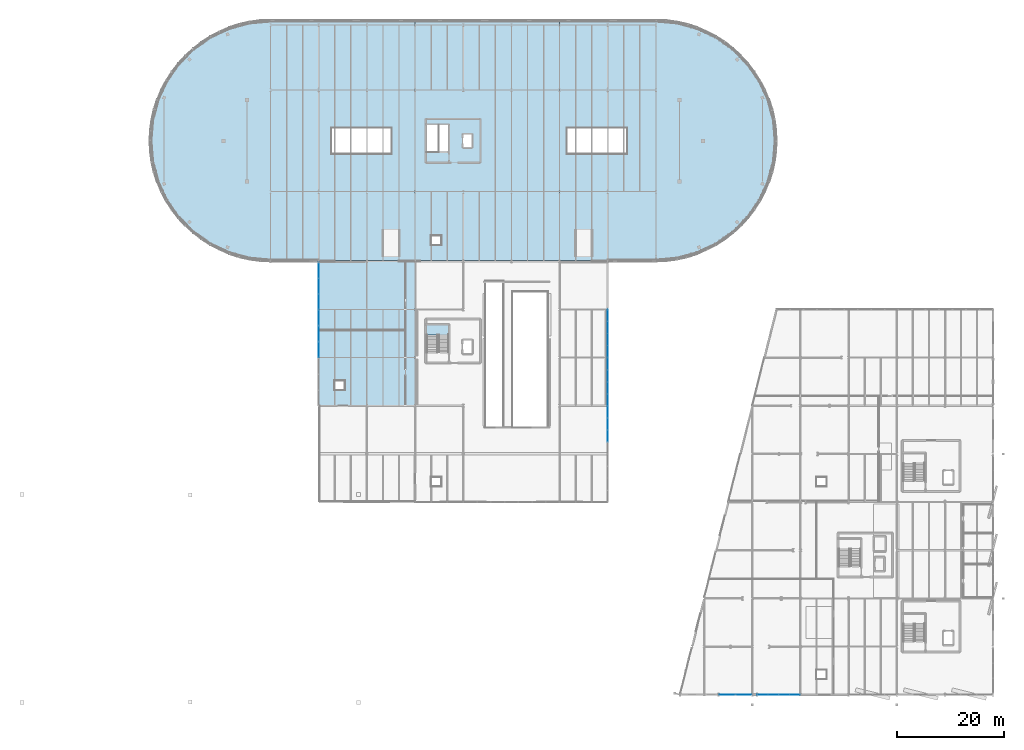
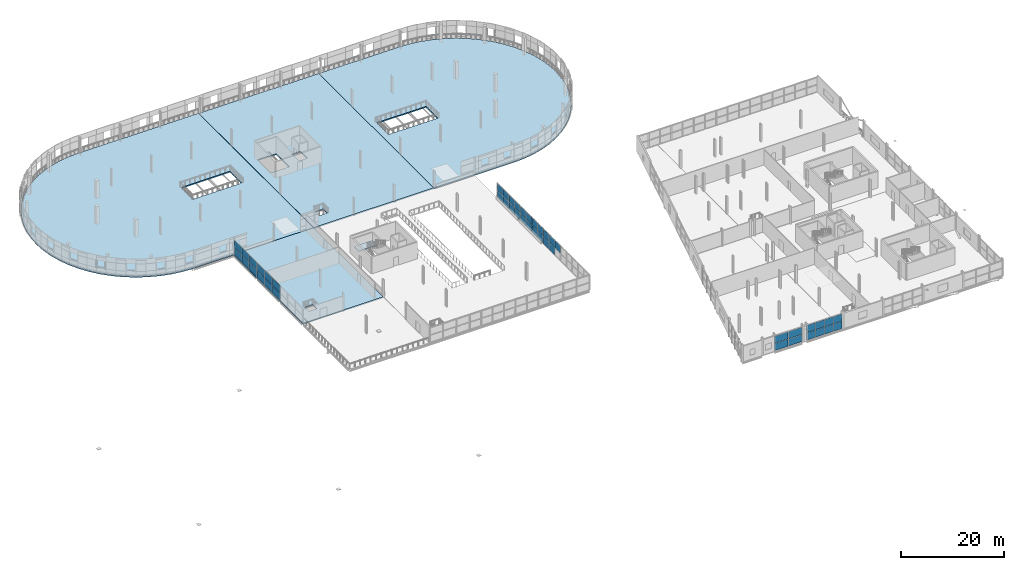
# One storey, part 65 of 88: 45 plates, 5 slabs, 8 elements without a shape of their own.
"""IFC4 building model written with IfcOpenShell, lengths in metres."""

from ifc_helpers import new_model, si_unit, direction, frame, origin, origin_2d, place, context, subcontext, project, spatial, polyline, rectangle, outline, extrude, material, layer, layer_set, type_object, element, aggregate, save


model = new_model("IFC4")

# Units and contexts
model_context = context("Model", 3, precision=1e-05, world=origin(), true_north=direction((0.0, 1.0)))
body_context = subcontext(model_context, "Body", "Model", "MODEL_VIEW")
ifc_project = project(units=[si_unit("LENGTHUNIT", "METRE"), si_unit("AREAUNIT", "SQUARE_METRE"), si_unit("VOLUMEUNIT", "CUBIC_METRE"), si_unit("PLANEANGLEUNIT", "RADIAN"), si_unit("MASSUNIT", "GRAM", prefix="KILO")], contexts=[model_context])

# Site, building, storey
site_placement = place(None, origin())
site = spatial("IfcSite", under=ifc_project, at=site_placement, CompositionType="ELEMENT")
building_placement = place(site_placement, origin())
building = spatial("IfcBuilding", under=site, at=building_placement, Name="Deido Ridge Mobility Hub", CompositionType="ELEMENT")
storey_placement = place(building_placement, frame((0.0, 0.0, 16.800048828125)))
storey = spatial("IfcBuildingStorey", under=building, at=storey_placement, Name="L04", CompositionType="ELEMENT", Elevation=16.800048828125)

# Curtain wall, plates
ifc_material_1 = material(Name="Anodised aluminium EN AW-6063 T6", Category="aluminium")
ifc_layer_1 = layer(ifc_material_1, 0.1650390625, Name="Anodised aluminium EN AW-6063 T6")
ifc_layer_set_1 = layer_set([ifc_layer_1], Name="Anodised aluminium EN AW-6063 T6")
curtain_wall_type_1 = type_object("IfcCurtainWallType", Name="CW-UF-1", PredefinedType="USERDEFINED", material=ifc_layer_set_1)
curtain_wall_1_placement = place(storey_placement, origin())
curtain_wall_1 = element("IfcCurtainWall", 1, at=curtain_wall_1_placement, inside=storey, type_object=curtain_wall_type_1, Name="Unitised curtain wall CW1", ObjectType="UNITISED FACADE", PredefinedType="USERDEFINED")
ifc_material_2 = material(Name="Laminated solar-control low-E glass", Category="glass")
ifc_layer_2 = layer(ifc_material_2, 0.02587890625, Name="Laminated solar-control low-E glass")
ifc_layer_set_2 = layer_set([ifc_layer_2], Name="Laminated solar-control low-E glass")
plate_type_1 = type_object("IfcPlateType", Name="PLT-CWP-26", PredefinedType="CURTAIN_PANEL", material=ifc_layer_set_2)
plate_1_placement = place(storey_placement, frame((136.9306640625, 0.0, 0.0498046875), z_axis=(0.0, 0.0, 1.0), x_axis=(1.0, 0.0, 0.0)))
plate_1 = element("IfcPlate", 2, at=plate_1_placement, type_object=plate_type_1, Name="CW1 panel 1.1", PredefinedType="CURTAIN_PANEL", context=body_context, shape_type="SweptSolid", body=[
    extrude(rectangle(XDim=1.94580078125, YDim=0.02587890625, at=origin_2d()), origin(), (0.0, 0.0, 1.0), 1.72509765625),
])
plate_2_placement = place(storey_placement, frame((136.9306640625, 0.0, 1.824951171875), z_axis=(0.0, 0.0, 1.0), x_axis=(1.0, 0.0, 0.0)))
plate_2 = element("IfcPlate", 3, at=plate_2_placement, type_object=plate_type_1, Name="CW1 panel 1.2", PredefinedType="CURTAIN_PANEL", context=body_context, shape_type="SweptSolid", body=[
    extrude(rectangle(XDim=1.94580078125, YDim=0.02587890625, at=origin_2d()), origin(), (0.0, 0.0, 1.0), 1.72509765625),
])
plate_3_placement = place(storey_placement, frame((138.93896484375, 0.0, 0.0498046875), z_axis=(0.0, 0.0, 1.0), x_axis=(1.0, 0.0, 0.0)))
plate_3 = element("IfcPlate", 4, at=plate_3_placement, type_object=plate_type_1, Name="CW1 panel 2.1", PredefinedType="CURTAIN_PANEL", context=body_context, shape_type="SweptSolid", body=[
    extrude(rectangle(XDim=1.970947265625, YDim=0.02587890625, at=origin_2d()), origin(), (0.0, 0.0, 1.0), 1.72509765625),
])
plate_4_placement = place(storey_placement, frame((138.93896484375, 0.0, 1.824951171875), z_axis=(0.0, 0.0, 1.0), x_axis=(1.0, 0.0, 0.0)))
plate_4 = element("IfcPlate", 5, at=plate_4_placement, type_object=plate_type_1, Name="CW1 panel 2.2", PredefinedType="CURTAIN_PANEL", context=body_context, shape_type="SweptSolid", body=[
    extrude(rectangle(XDim=1.970947265625, YDim=0.02587890625, at=origin_2d()), origin(), (0.0, 0.0, 1.0), 1.72509765625),
])
plate_5_placement = place(storey_placement, frame((140.9599609375, 0.0, 0.0498046875), z_axis=(0.0, 0.0, 1.0), x_axis=(1.0, 0.0, 0.0)))
plate_5 = element("IfcPlate", 6, at=plate_5_placement, type_object=plate_type_1, Name="CW1 panel 3.1", PredefinedType="CURTAIN_PANEL", context=body_context, shape_type="SweptSolid", body=[
    extrude(rectangle(XDim=1.970947265625, YDim=0.02587890625, at=origin_2d()), origin(), (0.0, 0.0, 1.0), 1.72509765625),
])
plate_6_placement = place(storey_placement, frame((140.9599609375, 0.0, 1.824951171875), z_axis=(0.0, 0.0, 1.0), x_axis=(1.0, 0.0, 0.0)))
plate_6 = element("IfcPlate", 7, at=plate_6_placement, type_object=plate_type_1, Name="CW1 panel 3.2", PredefinedType="CURTAIN_PANEL", context=body_context, shape_type="SweptSolid", body=[
    extrude(rectangle(XDim=1.970947265625, YDim=0.02587890625, at=origin_2d()), origin(), (0.0, 0.0, 1.0), 1.72509765625),
])
plate_7_placement = place(storey_placement, frame((142.96826171875, 0.0, 0.0498046875), z_axis=(0.0, 0.0, 1.0), x_axis=(1.0, 0.0, 0.0)))
plate_7 = element("IfcPlate", 8, at=plate_7_placement, type_object=plate_type_1, Name="CW1 panel 4.1", PredefinedType="CURTAIN_PANEL", context=body_context, shape_type="SweptSolid", body=[
    extrude(rectangle(XDim=1.94580078125, YDim=0.02587890625, at=origin_2d()), origin(), (0.0, 0.0, 1.0), 1.72509765625),
])
plate_8_placement = place(storey_placement, frame((142.96826171875, 0.0, 1.824951171875), z_axis=(0.0, 0.0, 1.0), x_axis=(1.0, 0.0, 0.0)))
plate_8 = element("IfcPlate", 9, at=plate_8_placement, type_object=plate_type_1, Name="CW1 panel 4.2", PredefinedType="CURTAIN_PANEL", context=body_context, shape_type="SweptSolid", body=[
    extrude(rectangle(XDim=1.94580078125, YDim=0.02587890625, at=origin_2d()), origin(), (0.0, 0.0, 1.0), 1.72509765625),
])
aggregate(curtain_wall_1, [plate_1, plate_2, plate_3, plate_4, plate_5, plate_6, plate_7, plate_8])

ifc_layer_3 = layer(ifc_material_1, 0.2099609375, Name="Anodised aluminium EN AW-6063 T6")
ifc_layer_set_3 = layer_set([ifc_layer_3], Name="Anodised aluminium EN AW-6063 T6")
curtain_wall_type_2 = type_object("IfcCurtainWallType", Name="CW-UF-4", PredefinedType="USERDEFINED", material=ifc_layer_set_3)
curtain_wall_2_placement = place(storey_placement, origin())
curtain_wall_2 = element("IfcCurtainWall", 10, at=curtain_wall_2_placement, inside=storey, type_object=curtain_wall_type_2, Name="Unitised curtain wall CW4", ObjectType="UNITISED FACADE", PredefinedType="USERDEFINED")
ifc_layer_4 = layer(ifc_material_2, 0.032958984375, Name="Laminated solar-control low-E glass")
ifc_layer_set_4 = layer_set([ifc_layer_4], Name="Laminated solar-control low-E glass")
plate_type_2 = type_object("IfcPlateType", Name="PLT-CWP-33", PredefinedType="CURTAIN_PANEL", material=ifc_layer_set_4)
plate_9_placement = place(storey_placement, frame((108.0, 48.375, 1.83251953125), z_axis=(0.0, 0.0, 1.0), x_axis=(0.0, 1.0, 0.0)))
plate_9 = element("IfcPlate", 11, at=plate_9_placement, type_object=plate_type_2, Name="CW4 panel 2.2", PredefinedType="CURTAIN_PANEL", context=body_context, shape_type="SweptSolid", body=[
    extrude(rectangle(XDim=2.18505859375, YDim=0.032958984375, at=origin_2d()), origin(), (0.0, 0.0, 1.0), 1.702392578125),
])
plate_10_placement = place(storey_placement, frame((108.0, 50.625, 0.06494140625), z_axis=(0.0, 0.0, 1.0), x_axis=(0.0, 1.0, 0.0)))
plate_10 = element("IfcPlate", 12, at=plate_10_placement, type_object=plate_type_2, Name="CW4 panel 3.1", PredefinedType="CURTAIN_PANEL", context=body_context, shape_type="SweptSolid", body=[
    extrude(rectangle(XDim=2.18505859375, YDim=0.032958984375, at=origin_2d()), origin(), (0.0, 0.0, 1.0), 1.702392578125),
])
plate_11_placement = place(storey_placement, frame((108.0, 50.625, 1.83251953125), z_axis=(0.0, 0.0, 1.0), x_axis=(0.0, 1.0, 0.0)))
plate_11 = element("IfcPlate", 13, at=plate_11_placement, type_object=plate_type_2, Name="CW4 panel 3.2", PredefinedType="CURTAIN_PANEL", context=body_context, shape_type="SweptSolid", body=[
    extrude(rectangle(XDim=2.18505859375, YDim=0.032958984375, at=origin_2d()), origin(), (0.0, 0.0, 1.0), 1.702392578125),
])
plate_12_placement = place(storey_placement, frame((108.0, 52.858642578125, 0.06494140625), z_axis=(0.0, 0.0, 1.0), x_axis=(0.0, 1.0, 0.0)))
plate_12 = element("IfcPlate", 14, at=plate_12_placement, type_object=plate_type_2, Name="CW4 panel 4.1", PredefinedType="CURTAIN_PANEL", context=body_context, shape_type="SweptSolid", body=[
    extrude(rectangle(XDim=2.152587890625, YDim=0.032958984375, at=origin_2d()), origin(), (0.0, 0.0, 1.0), 1.702392578125),
])
plate_13_placement = place(storey_placement, frame((108.0, 52.858642578125, 1.83251953125), z_axis=(0.0, 0.0, 1.0), x_axis=(0.0, 1.0, 0.0)))
plate_13 = element("IfcPlate", 15, at=plate_13_placement, type_object=plate_type_2, Name="CW4 panel 4.2", PredefinedType="CURTAIN_PANEL", context=body_context, shape_type="SweptSolid", body=[
    extrude(rectangle(XDim=2.152587890625, YDim=0.032958984375, at=origin_2d()), origin(), (0.0, 0.0, 1.0), 1.702392578125),
])
aggregate(curtain_wall_2, [plate_9, plate_10, plate_11, plate_12, plate_13])

curtain_wall_3_placement = place(storey_placement, origin())
curtain_wall_3 = element("IfcCurtainWall", 16, at=curtain_wall_3_placement, inside=storey, type_object=curtain_wall_type_2, Name="Unitised curtain wall CW4", ObjectType="UNITISED FACADE", PredefinedType="USERDEFINED")
plate_14_placement = place(storey_placement, frame((108.0, 55.141357421875, 0.06494140625), z_axis=(0.0, 0.0, 1.0), x_axis=(0.0, 1.0, 0.0)))
plate_14 = element("IfcPlate", 17, at=plate_14_placement, type_object=plate_type_2, Name="CW4 panel 1.1", PredefinedType="CURTAIN_PANEL", context=body_context, shape_type="SweptSolid", body=[
    extrude(rectangle(XDim=2.152587890625, YDim=0.032958984375, at=origin_2d()), origin(), (0.0, 0.0, 1.0), 1.702392578125),
])
plate_15_placement = place(storey_placement, frame((108.0, 55.141357421875, 1.83251953125), z_axis=(0.0, 0.0, 1.0), x_axis=(0.0, 1.0, 0.0)))
plate_15 = element("IfcPlate", 18, at=plate_15_placement, type_object=plate_type_2, Name="CW4 panel 1.2", PredefinedType="CURTAIN_PANEL", context=body_context, shape_type="SweptSolid", body=[
    extrude(rectangle(XDim=2.152587890625, YDim=0.032958984375, at=origin_2d()), origin(), (0.0, 0.0, 1.0), 1.702392578125),
])
plate_16_placement = place(storey_placement, frame((108.0, 57.375, 0.06494140625), z_axis=(0.0, 0.0, 1.0), x_axis=(0.0, 1.0, 0.0)))
plate_16 = element("IfcPlate", 19, at=plate_16_placement, type_object=plate_type_2, Name="CW4 panel 2.1", PredefinedType="CURTAIN_PANEL", context=body_context, shape_type="SweptSolid", body=[
    extrude(rectangle(XDim=2.18505859375, YDim=0.032958984375, at=origin_2d()), origin(), (0.0, 0.0, 1.0), 1.702392578125),
])
plate_17_placement = place(storey_placement, frame((108.0, 57.375, 1.83251953125), z_axis=(0.0, 0.0, 1.0), x_axis=(0.0, 1.0, 0.0)))
plate_17 = element("IfcPlate", 20, at=plate_17_placement, type_object=plate_type_2, Name="CW4 panel 2.2", PredefinedType="CURTAIN_PANEL", context=body_context, shape_type="SweptSolid", body=[
    extrude(rectangle(XDim=2.18505859375, YDim=0.032958984375, at=origin_2d()), origin(), (0.0, 0.0, 1.0), 1.702392578125),
])
plate_18_placement = place(storey_placement, frame((108.0, 59.625, 0.06494140625), z_axis=(0.0, 0.0, 1.0), x_axis=(0.0, 1.0, 0.0)))
plate_18 = element("IfcPlate", 21, at=plate_18_placement, type_object=plate_type_2, Name="CW4 panel 3.1", PredefinedType="CURTAIN_PANEL", context=body_context, shape_type="SweptSolid", body=[
    extrude(rectangle(XDim=2.18505859375, YDim=0.032958984375, at=origin_2d()), origin(), (0.0, 0.0, 1.0), 1.702392578125),
])
plate_19_placement = place(storey_placement, frame((108.0, 59.625, 1.83251953125), z_axis=(0.0, 0.0, 1.0), x_axis=(0.0, 1.0, 0.0)))
plate_19 = element("IfcPlate", 22, at=plate_19_placement, type_object=plate_type_2, Name="CW4 panel 3.2", PredefinedType="CURTAIN_PANEL", context=body_context, shape_type="SweptSolid", body=[
    extrude(rectangle(XDim=2.18505859375, YDim=0.032958984375, at=origin_2d()), origin(), (0.0, 0.0, 1.0), 1.702392578125),
])
plate_20_placement = place(storey_placement, frame((108.0, 61.858642578125, 0.06494140625), z_axis=(0.0, 0.0, 1.0), x_axis=(0.0, 1.0, 0.0)))
plate_20 = element("IfcPlate", 23, at=plate_20_placement, type_object=plate_type_2, Name="CW4 panel 4.1", PredefinedType="CURTAIN_PANEL", context=body_context, shape_type="SweptSolid", body=[
    extrude(rectangle(XDim=2.152587890625, YDim=0.032958984375, at=origin_2d()), origin(), (0.0, 0.0, 1.0), 1.702392578125),
])
plate_21_placement = place(storey_placement, frame((108.0, 61.858642578125, 1.83251953125), z_axis=(0.0, 0.0, 1.0), x_axis=(0.0, 1.0, 0.0)))
plate_21 = element("IfcPlate", 24, at=plate_21_placement, type_object=plate_type_2, Name="CW4 panel 4.2", PredefinedType="CURTAIN_PANEL", context=body_context, shape_type="SweptSolid", body=[
    extrude(rectangle(XDim=2.152587890625, YDim=0.032958984375, at=origin_2d()), origin(), (0.0, 0.0, 1.0), 1.702392578125),
])
aggregate(curtain_wall_3, [plate_14, plate_15, plate_16, plate_17, plate_18, plate_19, plate_20, plate_21])

curtain_wall_4_placement = place(storey_placement, origin())
curtain_wall_4 = element("IfcCurtainWall", 25, at=curtain_wall_4_placement, inside=storey, type_object=curtain_wall_type_2, Name="Unitised curtain wall CW4", ObjectType="UNITISED FACADE", PredefinedType="USERDEFINED")
plate_22_placement = place(storey_placement, frame((108.0, 64.141357421875, 0.06494140625), z_axis=(0.0, 0.0, 1.0), x_axis=(0.0, 1.0, 0.0)))
plate_22 = element("IfcPlate", 26, at=plate_22_placement, type_object=plate_type_2, Name="CW4 panel 1.1", PredefinedType="CURTAIN_PANEL", context=body_context, shape_type="SweptSolid", body=[
    extrude(rectangle(XDim=2.152587890625, YDim=0.032958984375, at=origin_2d()), origin(), (0.0, 0.0, 1.0), 1.702392578125),
])
plate_23_placement = place(storey_placement, frame((108.0, 64.141357421875, 1.83251953125), z_axis=(0.0, 0.0, 1.0), x_axis=(0.0, 1.0, 0.0)))
plate_23 = element("IfcPlate", 27, at=plate_23_placement, type_object=plate_type_2, Name="CW4 panel 1.2", PredefinedType="CURTAIN_PANEL", context=body_context, shape_type="SweptSolid", body=[
    extrude(rectangle(XDim=2.152587890625, YDim=0.032958984375, at=origin_2d()), origin(), (0.0, 0.0, 1.0), 1.702392578125),
])
plate_24_placement = place(storey_placement, frame((108.0, 66.375, 0.06494140625), z_axis=(0.0, 0.0, 1.0), x_axis=(0.0, 1.0, 0.0)))
plate_24 = element("IfcPlate", 28, at=plate_24_placement, type_object=plate_type_2, Name="CW4 panel 2.1", PredefinedType="CURTAIN_PANEL", context=body_context, shape_type="SweptSolid", body=[
    extrude(rectangle(XDim=2.18505859375, YDim=0.032958984375, at=origin_2d()), origin(), (0.0, 0.0, 1.0), 1.702392578125),
])
plate_25_placement = place(storey_placement, frame((108.0, 66.375, 1.83251953125), z_axis=(0.0, 0.0, 1.0), x_axis=(0.0, 1.0, 0.0)))
plate_25 = element("IfcPlate", 29, at=plate_25_placement, type_object=plate_type_2, Name="CW4 panel 2.2", PredefinedType="CURTAIN_PANEL", context=body_context, shape_type="SweptSolid", body=[
    extrude(rectangle(XDim=2.18505859375, YDim=0.032958984375, at=origin_2d()), origin(), (0.0, 0.0, 1.0), 1.702392578125),
])
plate_26_placement = place(storey_placement, frame((108.0, 68.625, 0.06494140625), z_axis=(0.0, 0.0, 1.0), x_axis=(0.0, 1.0, 0.0)))
plate_26 = element("IfcPlate", 30, at=plate_26_placement, type_object=plate_type_2, Name="CW4 panel 3.1", PredefinedType="CURTAIN_PANEL", context=body_context, shape_type="SweptSolid", body=[
    extrude(rectangle(XDim=2.18505859375, YDim=0.032958984375, at=origin_2d()), origin(), (0.0, 0.0, 1.0), 1.702392578125),
])
plate_27_placement = place(storey_placement, frame((108.0, 68.625, 1.83251953125), z_axis=(0.0, 0.0, 1.0), x_axis=(0.0, 1.0, 0.0)))
plate_27 = element("IfcPlate", 31, at=plate_27_placement, type_object=plate_type_2, Name="CW4 panel 3.2", PredefinedType="CURTAIN_PANEL", context=body_context, shape_type="SweptSolid", body=[
    extrude(rectangle(XDim=2.18505859375, YDim=0.032958984375, at=origin_2d()), origin(), (0.0, 0.0, 1.0), 1.702392578125),
])
plate_28_placement = place(storey_placement, frame((108.0, 70.858642578125, 0.06494140625), z_axis=(0.0, 0.0, 1.0), x_axis=(0.0, 1.0, 0.0)))
plate_28 = element("IfcPlate", 32, at=plate_28_placement, type_object=plate_type_2, Name="CW4 panel 4.1", PredefinedType="CURTAIN_PANEL", context=body_context, shape_type="SweptSolid", body=[
    extrude(rectangle(XDim=2.152587890625, YDim=0.032958984375, at=origin_2d()), origin(), (0.0, 0.0, 1.0), 1.702392578125),
])
plate_29_placement = place(storey_placement, frame((108.0, 70.858642578125, 1.83251953125), z_axis=(0.0, 0.0, 1.0), x_axis=(0.0, 1.0, 0.0)))
plate_29 = element("IfcPlate", 33, at=plate_29_placement, type_object=plate_type_2, Name="CW4 panel 4.2", PredefinedType="CURTAIN_PANEL", context=body_context, shape_type="SweptSolid", body=[
    extrude(rectangle(XDim=2.152587890625, YDim=0.032958984375, at=origin_2d()), origin(), (0.0, 0.0, 1.0), 1.702392578125),
])
aggregate(curtain_wall_4, [plate_22, plate_23, plate_24, plate_25, plate_26, plate_27, plate_28, plate_29])

ifc_layer_5 = layer(ifc_material_1, 0.239990234375, Name="Anodised aluminium EN AW-6063 T6")
ifc_layer_set_5 = layer_set([ifc_layer_5], Name="Anodised aluminium EN AW-6063 T6")
curtain_wall_type_3 = type_object("IfcCurtainWallType", Name="CW-UF-6", PredefinedType="USERDEFINED", material=ifc_layer_set_5)
curtain_wall_5_placement = place(storey_placement, origin())
curtain_wall_5 = element("IfcCurtainWall", 34, at=curtain_wall_5_placement, inside=storey, type_object=curtain_wall_type_3, Name="Unitised curtain wall CW6", ObjectType="UNITISED FACADE", PredefinedType="USERDEFINED")
ifc_layer_6 = layer(ifc_material_2, 0.037109375, Name="Laminated solar-control low-E glass")
ifc_layer_set_6 = layer_set([ifc_layer_6], Name="Laminated solar-control low-E glass")
plate_type_3 = type_object("IfcPlateType", Name="PLT-CWP-37", PredefinedType="CURTAIN_PANEL", material=ifc_layer_set_6)
plate_30_placement = place(storey_placement, frame((54.0, 64.518798828125, 0.074951171875), z_axis=(0.0, 0.0, 1.0), x_axis=(0.0, 1.0, 0.0)))
plate_30 = element("IfcPlate", 35, at=plate_30_placement, type_object=plate_type_3, Name="CW6 panel 1.1", PredefinedType="CURTAIN_PANEL", context=body_context, shape_type="SweptSolid", body=[
    extrude(rectangle(XDim=2.887451171875, YDim=0.037109375, at=origin_2d()), origin(), (0.0, 0.0, 1.0), 1.6875),
])
plate_31_placement = place(storey_placement, frame((54.0, 64.518798828125, 1.83740234375), z_axis=(0.0, 0.0, 1.0), x_axis=(0.0, 1.0, 0.0)))
plate_31 = element("IfcPlate", 36, at=plate_31_placement, type_object=plate_type_3, Name="CW6 panel 1.2", PredefinedType="CURTAIN_PANEL", context=body_context, shape_type="SweptSolid", body=[
    extrude(rectangle(XDim=2.887451171875, YDim=0.037109375, at=origin_2d()), origin(), (0.0, 0.0, 1.0), 1.6875),
])
plate_32_placement = place(storey_placement, frame((54.0, 67.5, 0.074951171875), z_axis=(0.0, 0.0, 1.0), x_axis=(0.0, 1.0, 0.0)))
plate_32 = element("IfcPlate", 37, at=plate_32_placement, type_object=plate_type_3, Name="CW6 panel 2.1", PredefinedType="CURTAIN_PANEL", context=body_context, shape_type="SweptSolid", body=[
    extrude(rectangle(XDim=2.925048828125, YDim=0.037109375, at=origin_2d()), origin(), (0.0, 0.0, 1.0), 1.6875),
])
plate_33_placement = place(storey_placement, frame((54.0, 67.5, 1.83740234375), z_axis=(0.0, 0.0, 1.0), x_axis=(0.0, 1.0, 0.0)))
plate_33 = element("IfcPlate", 38, at=plate_33_placement, type_object=plate_type_3, Name="CW6 panel 2.2", PredefinedType="CURTAIN_PANEL", context=body_context, shape_type="SweptSolid", body=[
    extrude(rectangle(XDim=2.925048828125, YDim=0.037109375, at=origin_2d()), origin(), (0.0, 0.0, 1.0), 1.6875),
])
plate_34_placement = place(storey_placement, frame((54.0, 70.481201171875, 0.074951171875), z_axis=(0.0, 0.0, 1.0), x_axis=(0.0, 1.0, 0.0)))
plate_34 = element("IfcPlate", 39, at=plate_34_placement, type_object=plate_type_3, Name="CW6 panel 3.1", PredefinedType="CURTAIN_PANEL", context=body_context, shape_type="SweptSolid", body=[
    extrude(rectangle(XDim=2.887451171875, YDim=0.037109375, at=origin_2d()), origin(), (0.0, 0.0, 1.0), 1.6875),
])
plate_35_placement = place(storey_placement, frame((54.0, 70.481201171875, 1.83740234375), z_axis=(0.0, 0.0, 1.0), x_axis=(0.0, 1.0, 0.0)))
plate_35 = element("IfcPlate", 40, at=plate_35_placement, type_object=plate_type_3, Name="CW6 panel 3.2", PredefinedType="CURTAIN_PANEL", context=body_context, shape_type="SweptSolid", body=[
    extrude(rectangle(XDim=2.887451171875, YDim=0.037109375, at=origin_2d()), origin(), (0.0, 0.0, 1.0), 1.6875),
])
aggregate(curtain_wall_5, [plate_30, plate_31, plate_32, plate_33, plate_34, plate_35])

curtain_wall_6_placement = place(storey_placement, origin())
curtain_wall_6 = element("IfcCurtainWall", 41, at=curtain_wall_6_placement, inside=storey, type_object=curtain_wall_type_3, Name="Unitised curtain wall CW6", ObjectType="UNITISED FACADE", PredefinedType="USERDEFINED")
plate_36_placement = place(storey_placement, frame((54.0, 73.47705078125, 0.074951171875), z_axis=(0.0, 0.0, 1.0), x_axis=(0.0, 1.0, 0.0)))
plate_36 = element("IfcPlate", 42, at=plate_36_placement, type_object=plate_type_3, Name="CW6 panel 1.1", PredefinedType="CURTAIN_PANEL", context=body_context, shape_type="SweptSolid", body=[
    extrude(rectangle(XDim=2.80419921875, YDim=0.037109375, at=origin_2d()), origin(), (0.0, 0.0, 1.0), 1.6875),
])
plate_37_placement = place(storey_placement, frame((54.0, 73.47705078125, 1.83740234375), z_axis=(0.0, 0.0, 1.0), x_axis=(0.0, 1.0, 0.0)))
plate_37 = element("IfcPlate", 43, at=plate_37_placement, type_object=plate_type_3, Name="CW6 panel 1.2", PredefinedType="CURTAIN_PANEL", context=body_context, shape_type="SweptSolid", body=[
    extrude(rectangle(XDim=2.80419921875, YDim=0.037109375, at=origin_2d()), origin(), (0.0, 0.0, 1.0), 1.6875),
])
plate_38_placement = place(storey_placement, frame((54.0, 76.375, 0.074951171875), z_axis=(0.0, 0.0, 1.0), x_axis=(0.0, 1.0, 0.0)))
plate_38 = element("IfcPlate", 44, at=plate_38_placement, type_object=plate_type_3, Name="CW6 panel 2.1", PredefinedType="CURTAIN_PANEL", context=body_context, shape_type="SweptSolid", body=[
    extrude(rectangle(XDim=2.841552734375, YDim=0.037109375, at=origin_2d()), origin(), (0.0, 0.0, 1.0), 1.6875),
])
plate_39_placement = place(storey_placement, frame((54.0, 76.375, 1.83740234375), z_axis=(0.0, 0.0, 1.0), x_axis=(0.0, 1.0, 0.0)))
plate_39 = element("IfcPlate", 45, at=plate_39_placement, type_object=plate_type_3, Name="CW6 panel 2.2", PredefinedType="CURTAIN_PANEL", context=body_context, shape_type="SweptSolid", body=[
    extrude(rectangle(XDim=2.841552734375, YDim=0.037109375, at=origin_2d()), origin(), (0.0, 0.0, 1.0), 1.6875),
])
plate_40_placement = place(storey_placement, frame((54.0, 79.27294921875, 0.074951171875), z_axis=(0.0, 0.0, 1.0), x_axis=(0.0, 1.0, 0.0)))
plate_40 = element("IfcPlate", 46, at=plate_40_placement, type_object=plate_type_3, Name="CW6 panel 3.1", PredefinedType="CURTAIN_PANEL", context=body_context, shape_type="SweptSolid", body=[
    extrude(rectangle(XDim=2.80419921875, YDim=0.037109375, at=origin_2d()), origin(), (0.0, 0.0, 1.0), 1.6875),
])
plate_41_placement = place(storey_placement, frame((54.0, 79.27294921875, 1.83740234375), z_axis=(0.0, 0.0, 1.0), x_axis=(0.0, 1.0, 0.0)))
plate_41 = element("IfcPlate", 47, at=plate_41_placement, type_object=plate_type_3, Name="CW6 panel 3.2", PredefinedType="CURTAIN_PANEL", context=body_context, shape_type="SweptSolid", body=[
    extrude(rectangle(XDim=2.80419921875, YDim=0.037109375, at=origin_2d()), origin(), (0.0, 0.0, 1.0), 1.6875),
])
aggregate(curtain_wall_6, [plate_36, plate_37, plate_38, plate_39, plate_40, plate_41])

ifc_layer_7 = layer(ifc_material_1, 0.2548828125, Name="Anodised aluminium EN AW-6063 T6")
ifc_layer_set_7 = layer_set([ifc_layer_7], Name="Anodised aluminium EN AW-6063 T6")
curtain_wall_type_4 = type_object("IfcCurtainWallType", Name="CW-UF-7", PredefinedType="USERDEFINED", material=ifc_layer_set_7)
curtain_wall_7_placement = place(storey_placement, origin())
curtain_wall_7 = element("IfcCurtainWall", 48, at=curtain_wall_7_placement, inside=storey, type_object=curtain_wall_type_4, Name="Unitised curtain wall CW7", ObjectType="UNITISED FACADE", PredefinedType="USERDEFINED")
ifc_layer_8 = layer(ifc_material_2, 0.0390625, Name="Laminated solar-control low-E glass")
ifc_layer_set_8 = layer_set([ifc_layer_8], Name="Laminated solar-control low-E glass")
plate_type_4 = type_object("IfcPlateType", Name="PLT-CWP-39", PredefinedType="CURTAIN_PANEL", material=ifc_layer_set_8)
plate_42_placement = place(storey_placement, frame((130.298828125, 0.0, 0.080078125), z_axis=(0.0, 0.0, 1.0), x_axis=(1.0, 0.0, 0.0)))
plate_42 = element("IfcPlate", 49, at=plate_42_placement, type_object=plate_type_4, Name="CW7 panel 1.1", PredefinedType="CURTAIN_PANEL", context=body_context, shape_type="SweptSolid", body=[
    extrude(rectangle(XDim=3.022216796875, YDim=0.0390625, at=origin_2d()), origin(), (0.0, 0.0, 1.0), 1.679931640625),
])
plate_43_placement = place(storey_placement, frame((130.298828125, 0.0, 1.83984375), z_axis=(0.0, 0.0, 1.0), x_axis=(1.0, 0.0, 0.0)))
plate_43 = element("IfcPlate", 50, at=plate_43_placement, type_object=plate_type_4, Name="CW7 panel 1.2", PredefinedType="CURTAIN_PANEL", context=body_context, shape_type="SweptSolid", body=[
    extrude(rectangle(XDim=3.022216796875, YDim=0.0390625, at=origin_2d()), origin(), (0.0, 0.0, 1.0), 1.679931640625),
])
plate_44_placement = place(storey_placement, frame((133.401123046875, 0.0, 0.080078125), z_axis=(0.0, 0.0, 1.0), x_axis=(1.0, 0.0, 0.0)))
plate_44 = element("IfcPlate", 51, at=plate_44_placement, type_object=plate_type_4, Name="CW7 panel 2.1", PredefinedType="CURTAIN_PANEL", context=body_context, shape_type="SweptSolid", body=[
    extrude(rectangle(XDim=3.022216796875, YDim=0.0390625, at=origin_2d()), origin(), (0.0, 0.0, 1.0), 1.679931640625),
])
plate_45_placement = place(storey_placement, frame((133.401123046875, 0.0, 1.83984375), z_axis=(0.0, 0.0, 1.0), x_axis=(1.0, 0.0, 0.0)))
plate_45 = element("IfcPlate", 52, at=plate_45_placement, type_object=plate_type_4, Name="CW7 panel 2.2", PredefinedType="CURTAIN_PANEL", context=body_context, shape_type="SweptSolid", body=[
    extrude(rectangle(XDim=3.022216796875, YDim=0.0390625, at=origin_2d()), origin(), (0.0, 0.0, 1.0), 1.679931640625),
])
aggregate(curtain_wall_7, [plate_42, plate_43, plate_44, plate_45])

# Slabs
ifc_material_3 = material(Name="Concrete C35/45", Category="concrete")
ifc_layer_9 = layer(ifc_material_3, 0.27490234375, Name="Concrete C35/45")
ifc_layer_set_9 = layer_set([ifc_layer_9], Name="Concrete C35/45")
slab_type_1 = type_object("IfcSlabType", Name="SLB-FLR-275", PredefinedType="FLOOR", material=ifc_layer_set_9)
slab_1_placement = place(storey_placement, frame((0.0, 0.0, -0.275146484375)))
element("IfcSlab", 53, at=slab_1_placement, inside=storey, type_object=slab_type_1, Name="L04 V3 structural deck 54", PredefinedType="FLOOR", context=body_context, shape_type="SweptSolid", body=[
    extrude(outline(polyline([(54.0, 54.0), (54.0, 81.10009765625), (71.97509765625, 81.10009765625), (71.97509765625, 54.0), (54.0, 54.0)]), holes=[polyline([(58.800048828125, 57.0), (57.0, 57.0), (57.0, 58.60009765625), (58.800048828125, 58.60009765625), (58.800048828125, 57.0)])]), origin(), (0.0, 0.0, 1.0), 0.275146484375),
])
slab_2_placement = place(storey_placement, frame((0.0, 0.0, -0.275146484375)))
element("IfcSlab", 54, at=slab_2_placement, inside=storey, type_object=slab_type_1, Name="L04 V4 structural deck 55", PredefinedType="FLOOR", context=body_context, shape_type="SweptSolid", body=[
    extrude(outline(polyline([(42.65869140625, 81.22265625), (40.3427734375, 81.589599609375), (38.077880859375, 82.1962890625), (35.88916015625, 83.03662109375), (33.800048828125, 84.10107421875), (31.83349609375, 85.3779296875), (30.011474609375, 86.853515625), (28.353515625, 88.511474609375), (26.8779296875, 90.33349609375), (25.60107421875, 92.300048828125), (24.53662109375, 94.38916015625), (23.6962890625, 96.577880859375), (23.089599609375, 98.8427734375), (22.72265625, 101.15869140625), (22.60009765625, 103.5), (22.72265625, 105.84130859375), (23.089599609375, 108.1572265625), (23.6962890625, 110.422119140625), (24.53662109375, 112.61083984375), (25.60107421875, 114.699951171875), (26.8779296875, 116.66650390625), (28.353515625, 118.488525390625), (30.011474609375, 120.146484375), (31.83349609375, 121.6220703125), (33.800048828125, 122.89892578125), (35.88916015625, 123.96337890625), (38.077880859375, 124.8037109375), (40.3427734375, 125.410400390625), (42.65869140625, 125.77734375), (45.0, 125.89990234375), (71.97509765625, 125.89990234375), (71.97509765625, 81.10009765625), (45.0, 81.10009765625), (42.65869140625, 81.22265625)]), holes=[polyline([(56.5, 101.199951171875), (56.5, 105.800048828125), (67.5, 105.800048828125), (67.5, 101.199951171875), (56.5, 101.199951171875)])]), origin(), (0.0, 0.0, 1.0), 0.275146484375),
])
slab_3_placement = place(storey_placement, frame((0.0, 0.0, -0.275146484375)))
element("IfcSlab", 55, at=slab_3_placement, inside=storey, type_object=slab_type_1, Name="L04 V4 structural deck 56", PredefinedType="FLOOR", context=body_context, shape_type="SweptSolid", body=[
    extrude(outline(polyline([(99.0, 81.10009765625), (72.02490234375, 81.10009765625), (72.02490234375, 125.89990234375), (99.0, 125.89990234375), (99.0, 81.10009765625)]), holes=[polyline([(75.02490234375, 84.10009765625), (75.02490234375, 85.699951171875), (76.824951171875, 85.699951171875), (76.824951171875, 84.10009765625), (75.02490234375, 84.10009765625)]), polyline([(80.85009765625, 102.14990234375), (80.85009765625, 104.85009765625), (82.75, 104.85009765625), (82.75, 102.14990234375), (80.85009765625, 102.14990234375)]), polyline([(74.139892578125, 101.39990234375), (74.139892578125, 106.5), (78.239990234375, 106.5), (78.239990234375, 101.39990234375), (74.139892578125, 101.39990234375)])]), origin(), (0.0, 0.0, 1.0), 0.275146484375),
])
slab_4_placement = place(storey_placement, frame((0.0, 0.0, -0.275146484375)))
element("IfcSlab", 56, at=slab_4_placement, inside=storey, type_object=slab_type_1, Name="L04 V4 structural deck 57", PredefinedType="FLOOR", context=body_context, shape_type="SweptSolid", body=[
    extrude(outline(polyline([(119.34130859375, 125.77734375), (121.6572265625, 125.410400390625), (123.922119140625, 124.8037109375), (126.11083984375, 123.96337890625), (128.199951171875, 122.89892578125), (130.16650390625, 121.6220703125), (131.988525390625, 120.146484375), (133.646484375, 118.488525390625), (135.1220703125, 116.66650390625), (136.39892578125, 114.699951171875), (137.46337890625, 112.61083984375), (138.3037109375, 110.422119140625), (138.910400390625, 108.1572265625), (139.27734375, 105.84130859375), (139.39990234375, 103.5), (139.27734375, 101.15869140625), (138.910400390625, 98.8427734375), (138.3037109375, 96.577880859375), (137.46337890625, 94.38916015625), (136.39892578125, 92.300048828125), (135.1220703125, 90.33349609375), (133.646484375, 88.511474609375), (131.988525390625, 86.853515625), (130.16650390625, 85.3779296875), (128.199951171875, 84.10107421875), (126.11083984375, 83.03662109375), (123.922119140625, 82.1962890625), (121.6572265625, 81.589599609375), (119.34130859375, 81.22265625), (117.0, 81.10009765625), (99.0, 81.10009765625), (99.0, 125.89990234375), (117.0, 125.89990234375), (119.34130859375, 125.77734375)]), holes=[polyline([(100.5, 101.199951171875), (100.5, 105.800048828125), (111.5, 105.800048828125), (111.5, 101.199951171875), (100.5, 101.199951171875)])]), origin(), (0.0, 0.0, 1.0), 0.275146484375),
])

# Stair, slab
stair_type = type_object("IfcStairType", Name="ST-CORE-DBL-1520", PredefinedType="DOUBLE_RETURN_STAIR", material=ifc_material_3)
stair_placement = place(storey_placement, origin())
stair = element("IfcStair", 57, at=stair_placement, inside=storey, type_object=stair_type, Name="Protected exit stair ST4 (L04)", PredefinedType="DOUBLE_RETURN_STAIR")
ifc_layer_10 = layer(ifc_material_3, 0.18994140625, Name="Concrete C35/45")
ifc_layer_set_10 = layer_set([ifc_layer_10], Name="Concrete C35/45")
slab_type_2 = type_object("IfcSlabType", Name="SLB-STLND-190", PredefinedType="LANDING", material=ifc_layer_set_10)
slab_5_placement = place(storey_placement, frame((0.0, 0.0, 1.909912109375)))
slab_5 = element("IfcSlab", 58, at=slab_5_placement, type_object=slab_type_2, Name="ST4 landing 1", PredefinedType="LANDING", context=body_context, shape_type="SweptSolid", body=[
    extrude(outline(polyline([(74.14990234375, 67.25), (78.235107421875, 67.25), (78.235107421875, 69.074951171875), (74.14990234375, 69.074951171875), (74.14990234375, 67.25)])), origin(), (0.0, 0.0, 1.0), 0.18994140625),
])
aggregate(stair, [slab_5])

save(model, "model.ifc")
